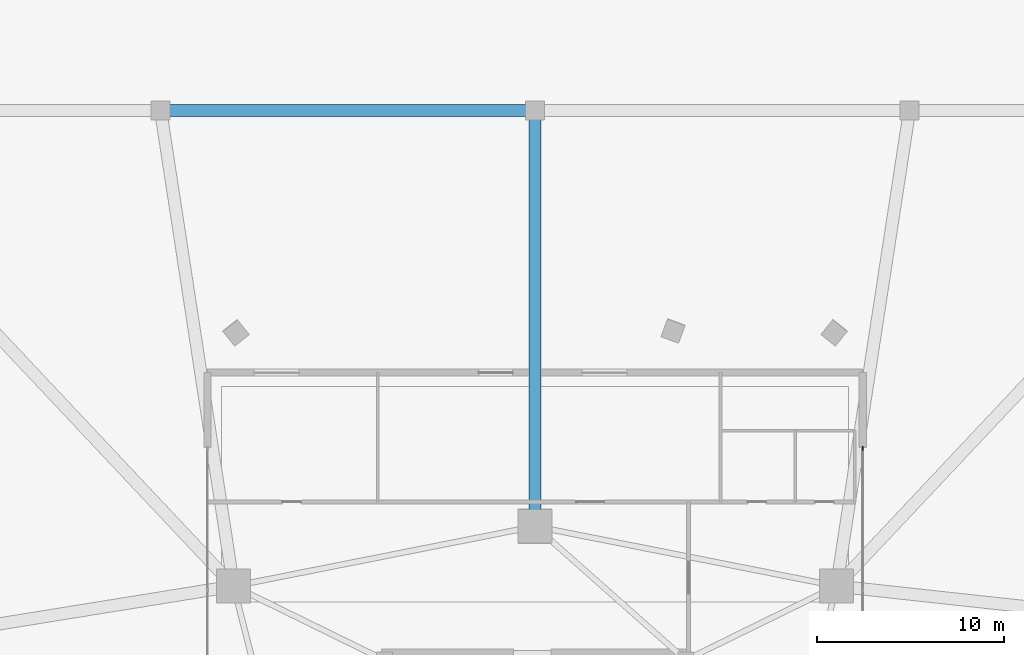
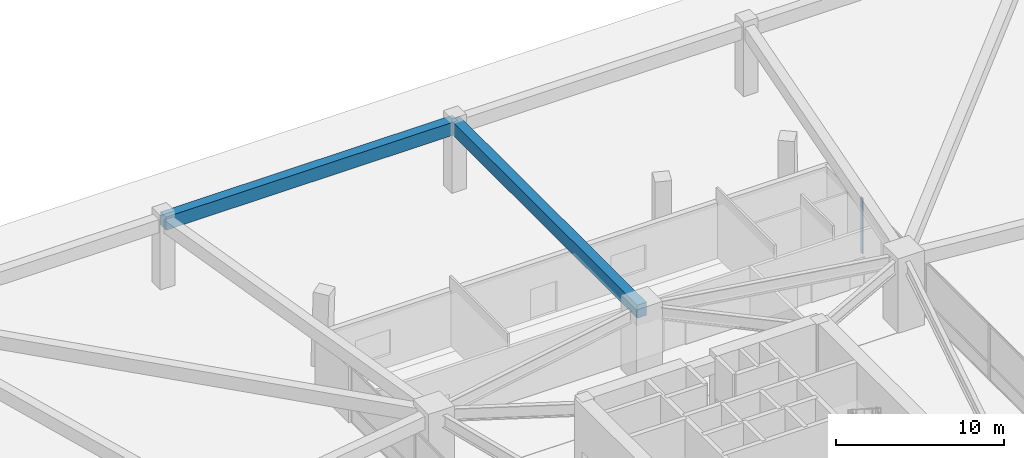
# One storey, part 10 of 19: 2 beams, 1 member, 1 element without a shape of its own.
"""IFC4 building model written with IfcOpenShell, lengths in metres."""

from ifc_helpers import new_model, si_unit, direction, frame, origin, origin_2d, place, context, subcontext, project, spatial, rectangle, extrude, material, layer, layer_set, material_profile, profile_set, type_object, element, aggregate, save


model = new_model("IFC4")

# Units and contexts
model_context = context("Model", 3, precision=1e-05, world=origin(), true_north=direction((0.0, 1.0)))
body_context = subcontext(model_context, "Body", "Model", "MODEL_VIEW")
ifc_project = project(units=[si_unit("LENGTHUNIT", "METRE"), si_unit("AREAUNIT", "SQUARE_METRE"), si_unit("VOLUMEUNIT", "CUBIC_METRE"), si_unit("PLANEANGLEUNIT", "RADIAN"), si_unit("MASSUNIT", "GRAM", prefix="KILO")], contexts=[model_context])

# Site, building, storey
site_placement = place(None, origin())
site = spatial("IfcSite", under=ifc_project, at=site_placement, CompositionType="ELEMENT")
building_placement = place(site_placement, origin())
building = spatial("IfcBuilding", under=site, at=building_placement, Name="Talyreon Biosciences Tower", CompositionType="ELEMENT")
storey_placement = place(building_placement, origin())
storey = spatial("IfcBuildingStorey", under=building, at=storey_placement, Name="L00", CompositionType="ELEMENT", Elevation=0.0)

# Curtain wall, member
ifc_material_1 = material(Name="Thermally broken aluminium and low-E glazing", Category="aluminium")
ifc_layer = layer(ifc_material_1, 0.219970703125)
ifc_layer_set = layer_set([ifc_layer], Name="Thermally broken aluminium and low-E glazing")
curtain_wall_type = type_object("IfcCurtainWallType", Name="CurtainWall_PodiumDoubleHeight", PredefinedType="NOTDEFINED", material=ifc_layer_set)
curtain_wall_placement = place(storey_placement, origin())
curtain_wall = element("IfcCurtainWall", 1, at=curtain_wall_placement, inside=storey, type_object=curtain_wall_type, Name="L00 Unitised Curtain Wall FCW-L00-E", PredefinedType="NOTDEFINED")
ifc_material_2 = material(Name="Anodised thermally broken aluminium", Category="aluminium")
ifc_material_profile_1 = material_profile(ifc_material_2, rectangle(XDim=0.074951171875, YDim=0.2099609375, at=origin_2d()), Name="ALUM MULLION 75x210")
ifc_profile_set_1 = profile_set([ifc_material_profile_1], Name="Anodised thermally broken aluminium")
member_type = type_object("IfcMemberType", Name="CWMullion_75x210", PredefinedType="MULLION", material=ifc_profile_set_1)
member_placement = place(storey_placement, frame((83.5, 85.96240234375, 0.0), z_axis=(0.0, 0.0, 1.0), x_axis=(1.0, 0.0, 0.0)))
member = element("IfcMember", 2, at=member_placement, type_object=member_type, Name="CW1 mullion 1", PredefinedType="MULLION", context=body_context, shape_type="SweptSolid", body=[
    extrude(rectangle(XDim=0.074951171875, YDim=0.2099609375, at=origin_2d()), origin(), (0.0, 0.0, 1.0), 4.030029296875),
])
aggregate(curtain_wall, [member])

# Beams
ifc_material_3 = material(Name="Concrete C50/60", Category="concrete")
ifc_material_profile_2 = material_profile(ifc_material_3, rectangle(XDim=0.64990234375, YDim=0.949951171875, at=origin_2d()), Name="RCB 650x950")
ifc_profile_set_2 = profile_set([ifc_material_profile_2], Name="Concrete C50/60")
beam_type = type_object("IfcBeamType", Name="PodiumGirder_650x950", PredefinedType="T_BEAM", material=ifc_profile_set_2)
beam_1_placement = place(storey_placement, frame((66.0, 104.0, 4.52490234375), z_axis=(-1.0, 0.0, 0.0), x_axis=(0.0, -1.0, 0.0)))
element("IfcBeam", 3, at=beam_1_placement, inside=storey, type_object=beam_type, Name="L00 Podium Perimeter Ring Girder 10", PredefinedType="T_BEAM", context=body_context, shape_type="SweptSolid", body=[
    extrude(rectangle(XDim=0.64990234375, YDim=0.949951171875, at=origin_2d()), origin(), (0.0, 0.0, 1.0), 20.0),
])
beam_2_placement = place(storey_placement, frame((66.0, 81.788818359375, 4.52490234375), z_axis=(0.0, 1.0, 0.0), x_axis=(-1.0, 0.0, 0.0)))
element("IfcBeam", 4, at=beam_2_placement, inside=storey, type_object=beam_type, Name="L00 Podium Radial Tie Girder PDC10", PredefinedType="T_BEAM", context=body_context, shape_type="SweptSolid", body=[
    extrude(rectangle(XDim=0.64990234375, YDim=0.949951171875, at=origin_2d()), origin(), (0.0, 0.0, 1.0), 22.211181640625),
])

save(model, "model.ifc")
